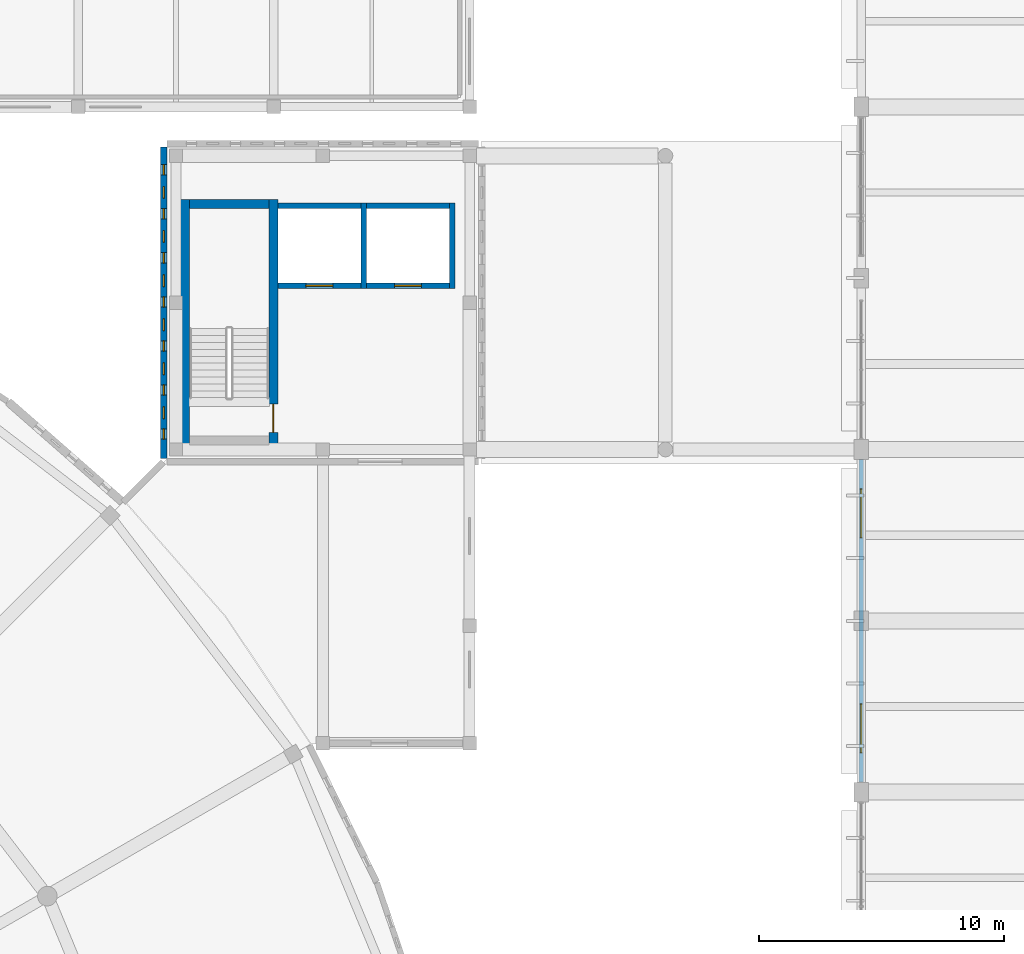
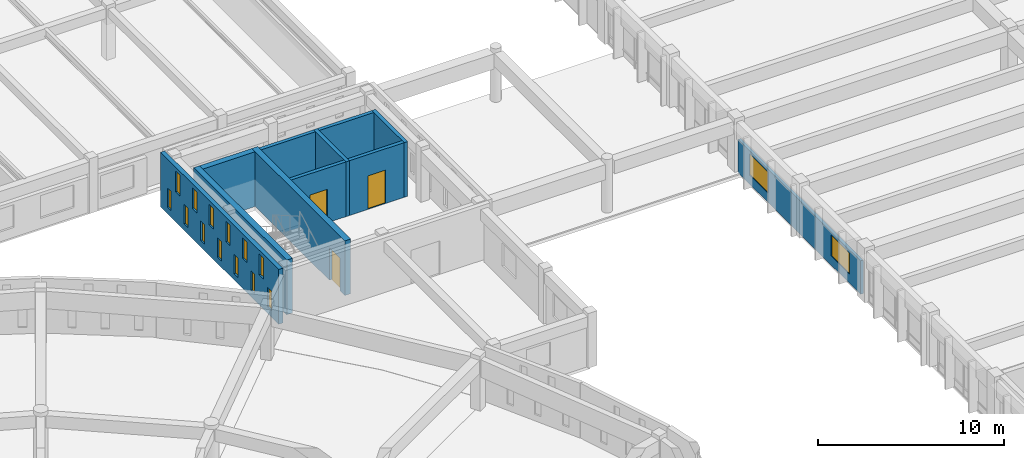
# One storey, part 120 of 155: 15 windows, 11 walls, 3 doors, 18 openings.
"""IFC4 building model written with IfcOpenShell, lengths in metres."""

from ifc_helpers import new_model, si_unit, direction, frame, frame_2d, origin, place, context, subcontext, project, spatial, rectangle, extrude, material, layer, layer_set, type_object, element, fill, save


model = new_model("IFC4")

# Units and contexts
model_context = context("Model", 3, precision=1e-05, world=origin(), true_north=direction((0.0, 1.0)))
body_context = subcontext(model_context, "Body", "Model", "MODEL_VIEW")
ifc_project = project(units=[si_unit("LENGTHUNIT", "METRE"), si_unit("AREAUNIT", "SQUARE_METRE"), si_unit("VOLUMEUNIT", "CUBIC_METRE"), si_unit("PLANEANGLEUNIT", "RADIAN"), si_unit("MASSUNIT", "GRAM", prefix="KILO")], contexts=[model_context])

# Site, building, storey
site_placement = place(None, origin())
site = spatial("IfcSite", under=ifc_project, at=site_placement, CompositionType="ELEMENT")
building_placement = place(site_placement, origin())
building = spatial("IfcBuilding", under=site, at=building_placement, Name="Larkveld Mobility Hub", CompositionType="ELEMENT")
storey_placement = place(building_placement, frame((0.0, 0.0, 8.39990234375)))
storey = spatial("IfcBuildingStorey", under=building, at=storey_placement, Name="L02", CompositionType="ELEMENT", Elevation=8.39990234375)

# Wall, openings, windows
ifc_material_1 = material(Name="Fired clay brick 25 MPa", Category="masonry")
ifc_layer_1 = layer(ifc_material_1, 0.260009765625, Name="Fired clay brick 25 MPa", Category="masonry")
ifc_layer_set_1 = layer_set([ifc_layer_1], Name="Fired clay brick 25 MPa")
wall_type_1 = type_object("IfcWallType", Name="WL-BRK-260", PredefinedType="USERDEFINED", material=ifc_layer_set_1)
wall_1_placement = place(storey_placement, frame((83.5, 96.360107421875, 0.0), z_axis=(0.0, 0.0, 1.0), x_axis=(0.0, -1.0, 0.0)))
wall_1 = element("IfcWall", 1, at=wall_1_placement, inside=storey, type_object=wall_type_1, Name="Square Brick Pavilion W Wall L02-0147", ObjectType="PERFORATED BRICK SCREEN", PredefinedType="USERDEFINED", context=body_context, shape_type="SweptSolid", body=[
    extrude(rectangle(XDim=12.72021484375, YDim=0.260009765625, at=frame_2d((6.360107421875, 0.0))), origin(), (0.0, 0.0, 1.0), 3.60009765625),
])
opening_1_placement = place(wall_1_placement, frame((0.719970703125, 0.0, 0.419921875)))
opening_1 = element("IfcOpeningElement", 2, at=opening_1_placement, cuts=wall_1, Name="Opening W01", PredefinedType="OPENING", context=body_context, shape_type="SweptSolid", body=[
    extrude(rectangle(XDim=0.419921875, YDim=1.280029296875, at=frame_2d((0.2099609375, 0.64013671875))), frame((0.0, 0.14013671875, 0.0), z_axis=(0.0, -1.0, 0.0), x_axis=(1.0, 0.0, 0.0)), (0.0, 0.0, 1.0), 0.280029296875),
])
opening_2_placement = place(wall_1_placement, frame((2.52001953125, 0.0, 0.419921875)))
opening_2 = element("IfcOpeningElement", 3, at=opening_2_placement, cuts=wall_1, Name="Opening W01", PredefinedType="OPENING", context=body_context, shape_type="SweptSolid", body=[
    extrude(rectangle(XDim=0.419921875, YDim=1.280029296875, at=frame_2d((0.2099609375, 0.64013671875))), frame((0.0, 0.14013671875, 0.0), z_axis=(0.0, -1.0, 0.0), x_axis=(1.0, 0.0, 0.0)), (0.0, 0.0, 1.0), 0.280029296875),
])
opening_3_placement = place(wall_1_placement, frame((4.320068359375, 0.0, 0.419921875)))
opening_3 = element("IfcOpeningElement", 4, at=opening_3_placement, cuts=wall_1, Name="Opening W01", PredefinedType="OPENING", context=body_context, shape_type="SweptSolid", body=[
    extrude(rectangle(XDim=0.419921875, YDim=1.280029296875, at=frame_2d((0.2099609375, 0.64013671875))), frame((0.0, 0.14013671875, 0.0), z_axis=(0.0, -1.0, 0.0), x_axis=(1.0, 0.0, 0.0)), (0.0, 0.0, 1.0), 0.280029296875),
])
opening_4_placement = place(wall_1_placement, frame((6.1201171875, 0.0, 0.419921875)))
opening_4 = element("IfcOpeningElement", 5, at=opening_4_placement, cuts=wall_1, Name="Opening W01", PredefinedType="OPENING", context=body_context, shape_type="SweptSolid", body=[
    extrude(rectangle(XDim=0.419921875, YDim=1.280029296875, at=frame_2d((0.2099609375, 0.64013671875))), frame((0.0, 0.14013671875, 0.0), z_axis=(0.0, -1.0, 0.0), x_axis=(1.0, 0.0, 0.0)), (0.0, 0.0, 1.0), 0.280029296875),
])
opening_5_placement = place(wall_1_placement, frame((7.919921875, 0.0, 0.419921875)))
opening_5 = element("IfcOpeningElement", 6, at=opening_5_placement, cuts=wall_1, Name="Opening W01", PredefinedType="OPENING", context=body_context, shape_type="SweptSolid", body=[
    extrude(rectangle(XDim=0.419921875, YDim=1.280029296875, at=frame_2d((0.2099609375, 0.64013671875))), frame((0.0, 0.14013671875, 0.0), z_axis=(0.0, -1.0, 0.0), x_axis=(1.0, 0.0, 0.0)), (0.0, 0.0, 1.0), 0.280029296875),
])
opening_6_placement = place(wall_1_placement, frame((9.719970703125, 0.0, 0.419921875)))
opening_6 = element("IfcOpeningElement", 7, at=opening_6_placement, cuts=wall_1, Name="Opening W01", PredefinedType="OPENING", context=body_context, shape_type="SweptSolid", body=[
    extrude(rectangle(XDim=0.419921875, YDim=1.280029296875, at=frame_2d((0.2099609375, 0.64013671875))), frame((0.0, 0.14013671875, 0.0), z_axis=(0.0, -1.0, 0.0), x_axis=(1.0, 0.0, 0.0)), (0.0, 0.0, 1.0), 0.280029296875),
])
opening_7_placement = place(wall_1_placement, frame((11.52001953125, 0.0, 0.419921875)))
opening_7 = element("IfcOpeningElement", 8, at=opening_7_placement, cuts=wall_1, Name="Opening W01", PredefinedType="OPENING", context=body_context, shape_type="SweptSolid", body=[
    extrude(rectangle(XDim=0.419921875, YDim=1.280029296875, at=frame_2d((0.2099609375, 0.64013671875))), frame((0.0, 0.14013671875, 0.0), z_axis=(0.0, -1.0, 0.0), x_axis=(1.0, 0.0, 0.0)), (0.0, 0.0, 1.0), 0.280029296875),
])
opening_8_placement = place(wall_1_placement, frame((1.6201171875, 0.0, 1.97998046875)))
opening_8 = element("IfcOpeningElement", 9, at=opening_8_placement, cuts=wall_1, Name="Opening W03", PredefinedType="OPENING", context=body_context, shape_type="SweptSolid", body=[
    extrude(rectangle(XDim=0.47998046875, YDim=1.360107421875, at=frame_2d((0.239990234375, 0.68017578125))), frame((0.0, 0.14013671875, 0.0), z_axis=(0.0, -1.0, 0.0), x_axis=(1.0, 0.0, 0.0)), (0.0, 0.0, 1.0), 0.280029296875),
])
opening_9_placement = place(wall_1_placement, frame((3.419921875, 0.0, 1.97998046875)))
opening_9 = element("IfcOpeningElement", 10, at=opening_9_placement, cuts=wall_1, Name="Opening W03", PredefinedType="OPENING", context=body_context, shape_type="SweptSolid", body=[
    extrude(rectangle(XDim=0.47998046875, YDim=1.360107421875, at=frame_2d((0.239990234375, 0.68017578125))), frame((0.0, 0.14013671875, 0.0), z_axis=(0.0, -1.0, 0.0), x_axis=(1.0, 0.0, 0.0)), (0.0, 0.0, 1.0), 0.280029296875),
])
opening_10_placement = place(wall_1_placement, frame((5.219970703125, 0.0, 1.97998046875)))
opening_10 = element("IfcOpeningElement", 11, at=opening_10_placement, cuts=wall_1, Name="Opening W03", PredefinedType="OPENING", context=body_context, shape_type="SweptSolid", body=[
    extrude(rectangle(XDim=0.47998046875, YDim=1.360107421875, at=frame_2d((0.239990234375, 0.68017578125))), frame((0.0, 0.14013671875, 0.0), z_axis=(0.0, -1.0, 0.0), x_axis=(1.0, 0.0, 0.0)), (0.0, 0.0, 1.0), 0.280029296875),
])
opening_11_placement = place(wall_1_placement, frame((7.02001953125, 0.0, 1.97998046875)))
opening_11 = element("IfcOpeningElement", 12, at=opening_11_placement, cuts=wall_1, Name="Opening W03", PredefinedType="OPENING", context=body_context, shape_type="SweptSolid", body=[
    extrude(rectangle(XDim=0.47998046875, YDim=1.360107421875, at=frame_2d((0.239990234375, 0.68017578125))), frame((0.0, 0.14013671875, 0.0), z_axis=(0.0, -1.0, 0.0), x_axis=(1.0, 0.0, 0.0)), (0.0, 0.0, 1.0), 0.280029296875),
])
opening_12_placement = place(wall_1_placement, frame((8.820068359375, 0.0, 1.97998046875)))
opening_12 = element("IfcOpeningElement", 13, at=opening_12_placement, cuts=wall_1, Name="Opening W03", PredefinedType="OPENING", context=body_context, shape_type="SweptSolid", body=[
    extrude(rectangle(XDim=0.47998046875, YDim=1.360107421875, at=frame_2d((0.239990234375, 0.68017578125))), frame((0.0, 0.14013671875, 0.0), z_axis=(0.0, -1.0, 0.0), x_axis=(1.0, 0.0, 0.0)), (0.0, 0.0, 1.0), 0.280029296875),
])
opening_13_placement = place(wall_1_placement, frame((10.6201171875, 0.0, 1.97998046875)))
opening_13 = element("IfcOpeningElement", 14, at=opening_13_placement, cuts=wall_1, Name="Opening W03", PredefinedType="OPENING", context=body_context, shape_type="SweptSolid", body=[
    extrude(rectangle(XDim=0.47998046875, YDim=1.360107421875, at=frame_2d((0.239990234375, 0.68017578125))), frame((0.0, 0.14013671875, 0.0), z_axis=(0.0, -1.0, 0.0), x_axis=(1.0, 0.0, 0.0)), (0.0, 0.0, 1.0), 0.280029296875),
])
ifc_material_2 = material(Name="Extruded aluminium ventilation grille", Category="aluminium")
window_type_1 = type_object("IfcWindowType", Name="WN-VENT-01", PartitioningType="SINGLE_PANEL", PredefinedType="WINDOW", material=ifc_material_2)
window_1_placement = place(opening_1_placement, origin())
window_1 = element("IfcWindow", 15, at=window_1_placement, inside=storey, type_object=window_type_1, Name="Window W01 (0756)", OverallHeight=1.280029296875, OverallWidth=0.419921875, PartitioningType="SINGLE_PANEL", PredefinedType="WINDOW", context=body_context, shape_type="SweptSolid", body=[
    extrude(rectangle(XDim=0.419921875, YDim=1.280029296875, at=frame_2d((0.2099609375, 0.64013671875))), frame((0.0, 0.030029296875, 0.0), z_axis=(0.0, -1.0, 0.0), x_axis=(1.0, 0.0, 0.0)), (0.0, 0.0, 1.0), 0.06005859375),
])
fill(opening_1, window_1)
window_2_placement = place(opening_2_placement, origin())
window_2 = element("IfcWindow", 16, at=window_2_placement, inside=storey, type_object=window_type_1, Name="Window W01 (0757)", OverallHeight=1.280029296875, OverallWidth=0.419921875, PartitioningType="SINGLE_PANEL", PredefinedType="WINDOW", context=body_context, shape_type="SweptSolid", body=[
    extrude(rectangle(XDim=0.419921875, YDim=1.280029296875, at=frame_2d((0.2099609375, 0.64013671875))), frame((0.0, 0.030029296875, 0.0), z_axis=(0.0, -1.0, 0.0), x_axis=(1.0, 0.0, 0.0)), (0.0, 0.0, 1.0), 0.06005859375),
])
fill(opening_2, window_2)
window_3_placement = place(opening_3_placement, origin())
window_3 = element("IfcWindow", 17, at=window_3_placement, inside=storey, type_object=window_type_1, Name="Window W01 (0758)", OverallHeight=1.280029296875, OverallWidth=0.419921875, PartitioningType="SINGLE_PANEL", PredefinedType="WINDOW", context=body_context, shape_type="SweptSolid", body=[
    extrude(rectangle(XDim=0.419921875, YDim=1.280029296875, at=frame_2d((0.2099609375, 0.64013671875))), frame((0.0, 0.030029296875, 0.0), z_axis=(0.0, -1.0, 0.0), x_axis=(1.0, 0.0, 0.0)), (0.0, 0.0, 1.0), 0.06005859375),
])
fill(opening_3, window_3)
window_4_placement = place(opening_4_placement, origin())
window_4 = element("IfcWindow", 18, at=window_4_placement, inside=storey, type_object=window_type_1, Name="Window W01 (0759)", OverallHeight=1.280029296875, OverallWidth=0.419921875, PartitioningType="SINGLE_PANEL", PredefinedType="WINDOW", context=body_context, shape_type="SweptSolid", body=[
    extrude(rectangle(XDim=0.419921875, YDim=1.280029296875, at=frame_2d((0.2099609375, 0.64013671875))), frame((0.0, 0.030029296875, 0.0), z_axis=(0.0, -1.0, 0.0), x_axis=(1.0, 0.0, 0.0)), (0.0, 0.0, 1.0), 0.06005859375),
])
fill(opening_4, window_4)
window_5_placement = place(opening_5_placement, origin())
window_5 = element("IfcWindow", 19, at=window_5_placement, inside=storey, type_object=window_type_1, Name="Window W01 (0760)", OverallHeight=1.280029296875, OverallWidth=0.419921875, PartitioningType="SINGLE_PANEL", PredefinedType="WINDOW", context=body_context, shape_type="SweptSolid", body=[
    extrude(rectangle(XDim=0.419921875, YDim=1.280029296875, at=frame_2d((0.2099609375, 0.64013671875))), frame((0.0, 0.030029296875, 0.0), z_axis=(0.0, -1.0, 0.0), x_axis=(1.0, 0.0, 0.0)), (0.0, 0.0, 1.0), 0.06005859375),
])
fill(opening_5, window_5)
window_6_placement = place(opening_6_placement, origin())
window_6 = element("IfcWindow", 20, at=window_6_placement, inside=storey, type_object=window_type_1, Name="Window W01 (0761)", OverallHeight=1.280029296875, OverallWidth=0.419921875, PartitioningType="SINGLE_PANEL", PredefinedType="WINDOW", context=body_context, shape_type="SweptSolid", body=[
    extrude(rectangle(XDim=0.419921875, YDim=1.280029296875, at=frame_2d((0.2099609375, 0.64013671875))), frame((0.0, 0.030029296875, 0.0), z_axis=(0.0, -1.0, 0.0), x_axis=(1.0, 0.0, 0.0)), (0.0, 0.0, 1.0), 0.06005859375),
])
fill(opening_6, window_6)
window_7_placement = place(opening_7_placement, origin())
window_7 = element("IfcWindow", 21, at=window_7_placement, inside=storey, type_object=window_type_1, Name="Window W01 (0762)", OverallHeight=1.280029296875, OverallWidth=0.419921875, PartitioningType="SINGLE_PANEL", PredefinedType="WINDOW", context=body_context, shape_type="SweptSolid", body=[
    extrude(rectangle(XDim=0.419921875, YDim=1.280029296875, at=frame_2d((0.2099609375, 0.64013671875))), frame((0.0, 0.030029296875, 0.0), z_axis=(0.0, -1.0, 0.0), x_axis=(1.0, 0.0, 0.0)), (0.0, 0.0, 1.0), 0.06005859375),
])
fill(opening_7, window_7)
window_type_2 = type_object("IfcWindowType", Name="WN-VENT-03", PartitioningType="SINGLE_PANEL", PredefinedType="WINDOW", material=ifc_material_2)
window_8_placement = place(opening_8_placement, origin())
window_8 = element("IfcWindow", 22, at=window_8_placement, inside=storey, type_object=window_type_2, Name="Window W03 (0763)", OverallHeight=1.360107421875, OverallWidth=0.47998046875, PartitioningType="SINGLE_PANEL", PredefinedType="WINDOW", context=body_context, shape_type="SweptSolid", body=[
    extrude(rectangle(XDim=0.47998046875, YDim=1.360107421875, at=frame_2d((0.239990234375, 0.68017578125))), frame((0.0, 0.030029296875, 0.0), z_axis=(0.0, -1.0, 0.0), x_axis=(1.0, 0.0, 0.0)), (0.0, 0.0, 1.0), 0.06005859375),
])
fill(opening_8, window_8)
window_9_placement = place(opening_9_placement, origin())
window_9 = element("IfcWindow", 23, at=window_9_placement, inside=storey, type_object=window_type_2, Name="Window W03 (0764)", OverallHeight=1.360107421875, OverallWidth=0.47998046875, PartitioningType="SINGLE_PANEL", PredefinedType="WINDOW", context=body_context, shape_type="SweptSolid", body=[
    extrude(rectangle(XDim=0.47998046875, YDim=1.360107421875, at=frame_2d((0.239990234375, 0.68017578125))), frame((0.0, 0.030029296875, 0.0), z_axis=(0.0, -1.0, 0.0), x_axis=(1.0, 0.0, 0.0)), (0.0, 0.0, 1.0), 0.06005859375),
])
fill(opening_9, window_9)
window_10_placement = place(opening_10_placement, origin())
window_10 = element("IfcWindow", 24, at=window_10_placement, inside=storey, type_object=window_type_2, Name="Window W03 (0765)", OverallHeight=1.360107421875, OverallWidth=0.47998046875, PartitioningType="SINGLE_PANEL", PredefinedType="WINDOW", context=body_context, shape_type="SweptSolid", body=[
    extrude(rectangle(XDim=0.47998046875, YDim=1.360107421875, at=frame_2d((0.239990234375, 0.68017578125))), frame((0.0, 0.030029296875, 0.0), z_axis=(0.0, -1.0, 0.0), x_axis=(1.0, 0.0, 0.0)), (0.0, 0.0, 1.0), 0.06005859375),
])
fill(opening_10, window_10)
window_11_placement = place(opening_11_placement, origin())
window_11 = element("IfcWindow", 25, at=window_11_placement, inside=storey, type_object=window_type_2, Name="Window W03 (0766)", OverallHeight=1.360107421875, OverallWidth=0.47998046875, PartitioningType="SINGLE_PANEL", PredefinedType="WINDOW", context=body_context, shape_type="SweptSolid", body=[
    extrude(rectangle(XDim=0.47998046875, YDim=1.360107421875, at=frame_2d((0.239990234375, 0.68017578125))), frame((0.0, 0.030029296875, 0.0), z_axis=(0.0, -1.0, 0.0), x_axis=(1.0, 0.0, 0.0)), (0.0, 0.0, 1.0), 0.06005859375),
])
fill(opening_11, window_11)
window_12_placement = place(opening_12_placement, origin())
window_12 = element("IfcWindow", 26, at=window_12_placement, inside=storey, type_object=window_type_2, Name="Window W03 (0767)", OverallHeight=1.360107421875, OverallWidth=0.47998046875, PartitioningType="SINGLE_PANEL", PredefinedType="WINDOW", context=body_context, shape_type="SweptSolid", body=[
    extrude(rectangle(XDim=0.47998046875, YDim=1.360107421875, at=frame_2d((0.239990234375, 0.68017578125))), frame((0.0, 0.030029296875, 0.0), z_axis=(0.0, -1.0, 0.0), x_axis=(1.0, 0.0, 0.0)), (0.0, 0.0, 1.0), 0.06005859375),
])
fill(opening_12, window_12)
window_13_placement = place(opening_13_placement, origin())
window_13 = element("IfcWindow", 27, at=window_13_placement, inside=storey, type_object=window_type_2, Name="Window W03 (0768)", OverallHeight=1.360107421875, OverallWidth=0.47998046875, PartitioningType="SINGLE_PANEL", PredefinedType="WINDOW", context=body_context, shape_type="SweptSolid", body=[
    extrude(rectangle(XDim=0.47998046875, YDim=1.360107421875, at=frame_2d((0.239990234375, 0.68017578125))), frame((0.0, 0.030029296875, 0.0), z_axis=(0.0, -1.0, 0.0), x_axis=(1.0, 0.0, 0.0)), (0.0, 0.0, 1.0), 0.06005859375),
])
fill(opening_13, window_13)

ifc_material_3 = material(Name="Glazed architectural ceramic masonry 20 MPa", Category="masonry")
ifc_layer_2 = layer(ifc_material_3, 0.179931640625, Name="Glazed architectural ceramic masonry 20 MPa", Category="masonry")
ifc_layer_set_2 = layer_set([ifc_layer_2], Name="Glazed architectural ceramic masonry 20 MPa")
wall_type_2 = type_object("IfcWallType", Name="WL-COB-180", PredefinedType="USERDEFINED", material=ifc_layer_set_2)
wall_2_placement = place(storey_placement, frame((112.0, 83.590087890625, 0.0), z_axis=(0.0, 0.0, 1.0), x_axis=(0.0, -1.0, 0.0)))
wall_2 = element("IfcWall", 28, at=wall_2_placement, inside=storey, type_object=wall_type_2, Name="EV Wing West Ventilated Facade L02-0231", ObjectType="CERAMIC COBOGO SCREEN", PredefinedType="USERDEFINED", context=body_context, shape_type="SweptSolid", body=[
    extrude(rectangle(XDim=13.18017578125, YDim=0.179931640625, at=frame_2d((6.590087890625, 0.0))), origin(), (0.0, 0.0, 1.0), 2.195068359375),
])
opening_14_placement = place(wall_2_placement, frame((1.197021484375, 0.0, 0.594970703125)))
opening_14 = element("IfcOpeningElement", 29, at=opening_14_placement, cuts=wall_2, Name="Opening W25", PredefinedType="OPENING", context=body_context, shape_type="SweptSolid", body=[
    extrude(rectangle(XDim=2.0, YDim=1.39990234375, at=frame_2d((1.0, 0.699951171875))), frame((0.0, 0.10009765625, 0.0), z_axis=(0.0, -1.0, 0.0), x_axis=(1.0, 0.0, 0.0)), (0.0, 0.0, 1.0), 0.199951171875),
])
opening_15_placement = place(wall_2_placement, frame((9.98291015625, 0.0, 0.594970703125)))
opening_15 = element("IfcOpeningElement", 30, at=opening_15_placement, cuts=wall_2, Name="Opening W25", PredefinedType="OPENING", context=body_context, shape_type="SweptSolid", body=[
    extrude(rectangle(XDim=2.0, YDim=1.39990234375, at=frame_2d((1.0, 0.699951171875))), frame((0.0, 0.10009765625, 0.0), z_axis=(0.0, -1.0, 0.0), x_axis=(1.0, 0.0, 0.0)), (0.0, 0.0, 1.0), 0.199951171875),
])
ifc_material_4 = material(Name="Low-E double glazing in aluminium frame", Category="aluminium")
window_type_3 = type_object("IfcWindowType", Name="WN-ALU-25", PartitioningType="SINGLE_PANEL", PredefinedType="WINDOW", material=ifc_material_4)
window_14_placement = place(opening_14_placement, origin())
window_14 = element("IfcWindow", 31, at=window_14_placement, inside=storey, type_object=window_type_3, Name="Window W25 (1050)", OverallHeight=1.39990234375, OverallWidth=2.0, PartitioningType="SINGLE_PANEL", PredefinedType="WINDOW", context=body_context, shape_type="SweptSolid", body=[
    extrude(rectangle(XDim=2.0, YDim=1.39990234375, at=frame_2d((1.0, 0.699951171875))), frame((0.0, 0.030029296875, 0.0), z_axis=(0.0, -1.0, 0.0), x_axis=(1.0, 0.0, 0.0)), (0.0, 0.0, 1.0), 0.06005859375),
])
fill(opening_14, window_14)
window_15_placement = place(opening_15_placement, origin())
window_15 = element("IfcWindow", 32, at=window_15_placement, inside=storey, type_object=window_type_3, Name="Window W25 (1051)", OverallHeight=1.39990234375, OverallWidth=2.0, PartitioningType="SINGLE_PANEL", PredefinedType="WINDOW", context=body_context, shape_type="SweptSolid", body=[
    extrude(rectangle(XDim=2.0, YDim=1.39990234375, at=frame_2d((1.0, 0.699951171875))), frame((0.0, 0.030029296875, 0.0), z_axis=(0.0, -1.0, 0.0), x_axis=(1.0, 0.0, 0.0)), (0.0, 0.0, 1.0), 0.06005859375),
])
fill(opening_15, window_15)

# Wall
ifc_material_5 = material(Name="Concrete C40/50", Category="concrete")
ifc_layer_3 = layer(ifc_material_5, 0.219970703125, Name="Concrete C40/50", Category="concrete")
ifc_layer_set_3 = layer_set([ifc_layer_3], Name="Concrete C40/50")
wall_type_3 = type_object("IfcWallType", Name="WL-SHF-220", PredefinedType="SHEAR", material=ifc_layer_set_3)
wall_3_placement = place(storey_placement, frame((91.669921875, 94.070068359375, 0.0), z_axis=(0.0, 0.0, 1.0), x_axis=(0.0, -1.0, 0.0)))
element("IfcWall", 33, at=wall_3_placement, inside=storey, type_object=wall_type_3, Name="Lift PL3 Shaft Wall L02-E", PredefinedType="SHEAR", context=body_context, shape_type="SweptSolid", body=[
    extrude(rectangle(XDim=3.489990234375, YDim=0.219970703125, at=frame_2d((1.7451171875, 0.0))), origin(), (0.0, 0.0, 1.0), 3.60009765625),
])

# Wall, opening, door
wall_4_placement = place(storey_placement, frame((91.56005859375, 90.68994140625, 0.0), z_axis=(0.0, 0.0, 1.0), x_axis=(-1.0, 0.0, 0.0)))
wall_4 = element("IfcWall", 34, at=wall_4_placement, inside=storey, type_object=wall_type_3, Name="Lift PL3 Shaft Wall L02-S", PredefinedType="SHEAR", context=body_context, shape_type="SweptSolid", body=[
    extrude(rectangle(XDim=3.400146484375, YDim=0.219970703125, at=frame_2d((1.7001953125, 0.0))), origin(), (0.0, 0.0, 1.0), 3.60009765625),
])
opening_16_placement = place(wall_4_placement, frame((1.14990234375, 0.0, 0.0)))
opening_16 = element("IfcOpeningElement", 35, at=opening_16_placement, cuts=wall_4, Name="Opening LD01", PredefinedType="OPENING", context=body_context, shape_type="SweptSolid", body=[
    extrude(rectangle(XDim=1.10009765625, YDim=2.199951171875, at=frame_2d((0.550048828125, 1.10009765625))), frame((0.0, 0.1201171875, 0.0), z_axis=(0.0, -1.0, 0.0), x_axis=(1.0, 0.0, 0.0)), (0.0, 0.0, 1.0), 0.239990234375),
])
ifc_material_6 = material(Name="Brushed stainless Steel S355JR sliding landing door", Category="steel")
door_type_1 = type_object("IfcDoorType", Name="DR-LD-110", OperationType="DOUBLE_DOOR_SLIDING", PredefinedType="DOOR", material=ifc_material_6)
door_1_placement = place(opening_16_placement, origin())
door_1 = element("IfcDoor", 36, at=door_1_placement, inside=storey, type_object=door_type_1, Name="Lift landing door PL3-L02", OperationType="DOUBLE_DOOR_SLIDING", OverallHeight=2.199951171875, OverallWidth=1.10009765625, PredefinedType="DOOR", context=body_context, shape_type="SweptSolid", body=[
    extrude(rectangle(XDim=1.10009765625, YDim=2.199951171875, at=frame_2d((0.550048828125, 1.10009765625))), frame((0.0, 0.02490234375, 0.0), z_axis=(0.0, -1.0, 0.0), x_axis=(1.0, 0.0, 0.0)), (0.0, 0.0, 1.0), 0.050048828125),
])
fill(opening_16, door_1)

# Walls
wall_5_placement = place(storey_placement, frame((88.159912109375, 93.9599609375, 0.0), z_axis=(0.0, 0.0, 1.0), x_axis=(1.0, 0.0, 0.0)))
element("IfcWall", 37, at=wall_5_placement, inside=storey, type_object=wall_type_3, Name="Lift PL3 Shaft Wall L02-N", PredefinedType="SHEAR", context=body_context, shape_type="SweptSolid", body=[
    extrude(rectangle(XDim=3.400146484375, YDim=0.219970703125, at=frame_2d((1.7001953125, 0.0))), origin(), (0.0, 0.0, 1.0), 3.60009765625),
])
wall_6_placement = place(storey_placement, frame((95.2900390625, 94.070068359375, 0.0), z_axis=(0.0, 0.0, 1.0), x_axis=(0.0, -1.0, 0.0)))
element("IfcWall", 38, at=wall_6_placement, inside=storey, type_object=wall_type_3, Name="Lift PL4 Shaft Wall L02-E", PredefinedType="SHEAR", context=body_context, shape_type="SweptSolid", body=[
    extrude(rectangle(XDim=3.489990234375, YDim=0.219970703125, at=frame_2d((1.7451171875, 0.0))), origin(), (0.0, 0.0, 1.0), 3.60009765625),
])

# Wall, opening, door
wall_7_placement = place(storey_placement, frame((95.179931640625, 90.68994140625, 0.0), z_axis=(0.0, 0.0, 1.0), x_axis=(-1.0, 0.0, 0.0)))
wall_7 = element("IfcWall", 39, at=wall_7_placement, inside=storey, type_object=wall_type_3, Name="Lift PL4 Shaft Wall L02-S", PredefinedType="SHEAR", context=body_context, shape_type="SweptSolid", body=[
    extrude(rectangle(XDim=3.39990234375, YDim=0.219970703125, at=frame_2d((1.699951171875, 0.0))), origin(), (0.0, 0.0, 1.0), 3.60009765625),
])
opening_17_placement = place(wall_7_placement, frame((1.14990234375, 0.0, 0.0)))
opening_17 = element("IfcOpeningElement", 40, at=opening_17_placement, cuts=wall_7, Name="Opening LD01", PredefinedType="OPENING", context=body_context, shape_type="SweptSolid", body=[
    extrude(rectangle(XDim=1.10009765625, YDim=2.199951171875, at=frame_2d((0.550048828125, 1.10009765625))), frame((0.0, 0.1201171875, 0.0), z_axis=(0.0, -1.0, 0.0), x_axis=(1.0, 0.0, 0.0)), (0.0, 0.0, 1.0), 0.239990234375),
])
door_2_placement = place(opening_17_placement, origin())
door_2 = element("IfcDoor", 41, at=door_2_placement, inside=storey, type_object=door_type_1, Name="Lift landing door PL4-L02", OperationType="DOUBLE_DOOR_SLIDING", OverallHeight=2.199951171875, OverallWidth=1.10009765625, PredefinedType="DOOR", context=body_context, shape_type="SweptSolid", body=[
    extrude(rectangle(XDim=1.10009765625, YDim=2.199951171875, at=frame_2d((0.550048828125, 1.10009765625))), frame((0.0, 0.02490234375, 0.0), z_axis=(0.0, -1.0, 0.0), x_axis=(1.0, 0.0, 0.0)), (0.0, 0.0, 1.0), 0.050048828125),
])
fill(opening_17, door_2)

# Walls
wall_8_placement = place(storey_placement, frame((91.780029296875, 93.9599609375, 0.0), z_axis=(0.0, 0.0, 1.0), x_axis=(1.0, 0.0, 0.0)))
element("IfcWall", 42, at=wall_8_placement, inside=storey, type_object=wall_type_3, Name="Lift PL4 Shaft Wall L02-N", PredefinedType="SHEAR", context=body_context, shape_type="SweptSolid", body=[
    extrude(rectangle(XDim=3.39990234375, YDim=0.219970703125, at=frame_2d((1.699951171875, 0.0))), origin(), (0.0, 0.0, 1.0), 3.60009765625),
])
ifc_layer_4 = layer(ifc_material_5, 0.360107421875, Name="Concrete C40/50", Category="concrete")
ifc_layer_set_4 = layer_set([ifc_layer_4], Name="Concrete C40/50")
wall_type_4 = type_object("IfcWallType", Name="WL-SHR-05", PredefinedType="SHEAR", material=ifc_layer_set_4)
wall_9_placement = place(storey_placement, frame((84.3701171875, 84.18994140625, 0.0), z_axis=(0.0, 0.0, 1.0), x_axis=(0.0, 1.0, 0.0)))
element("IfcWall", 43, at=wall_9_placement, inside=storey, type_object=wall_type_4, Name="Core C5 Stair Shear Wall L02-W", PredefinedType="SHEAR", context=body_context, shape_type="SweptSolid", body=[
    extrude(rectangle(XDim=10.02001953125, YDim=0.360107421875, at=frame_2d((5.010009765625, 0.0))), origin(), (0.0, 0.0, 1.0), 3.60009765625),
])

# Wall, opening, door
wall_10_placement = place(storey_placement, frame((87.97998046875, 94.2099609375, 0.0), z_axis=(0.0, 0.0, 1.0), x_axis=(0.0, -1.0, 0.0)))
wall_10 = element("IfcWall", 44, at=wall_10_placement, inside=storey, type_object=wall_type_4, Name="Core C5 Stair Shear Wall L02-E", PredefinedType="SHEAR", context=body_context, shape_type="SweptSolid", body=[
    extrude(rectangle(XDim=10.02001953125, YDim=0.360107421875, at=frame_2d((5.010009765625, 0.0))), origin(), (0.0, 0.0, 1.0), 3.60009765625),
])
opening_18_placement = place(wall_10_placement, frame((8.360107421875, 0.0, 0.0)))
opening_18 = element("IfcOpeningElement", 45, at=opening_18_placement, cuts=wall_10, Name="Opening DF01", PredefinedType="OPENING", context=body_context, shape_type="SweptSolid", body=[
    extrude(rectangle(XDim=1.14990234375, YDim=2.14990234375, at=frame_2d((0.574951171875, 1.074951171875))), frame((0.0, 0.18994140625, 0.0), z_axis=(0.0, -1.0, 0.0), x_axis=(1.0, 0.0, 0.0)), (0.0, 0.0, 1.0), 0.380126953125),
])
ifc_material_7 = material(Name="Pressed Steel S355JR fire door assembly", Category="steel")
door_type_2 = type_object("IfcDoorType", Name="DR-FD120", OperationType="NOTDEFINED", PredefinedType="DOOR", material=ifc_material_7)
door_3_placement = place(opening_18_placement, origin())
door_3 = element("IfcDoor", 46, at=door_3_placement, inside=storey, type_object=door_type_2, Name="Stair ST5 Fire Door L02", OperationType="SINGLE_SWING_RIGHT", OverallHeight=2.14990234375, OverallWidth=1.14990234375, PredefinedType="DOOR", context=body_context, shape_type="SweptSolid", body=[
    extrude(rectangle(XDim=1.14990234375, YDim=2.14990234375, at=frame_2d((0.574951171875, 1.074951171875))), frame((0.0, 0.02490234375, 0.0), z_axis=(0.0, -1.0, 0.0), x_axis=(1.0, 0.0, 0.0)), (0.0, 0.0, 1.0), 0.050048828125),
])
fill(opening_18, door_3)

# Wall
wall_11_placement = place(storey_placement, frame((84.550048828125, 94.030029296875, 0.0), z_axis=(0.0, 0.0, 1.0), x_axis=(1.0, 0.0, 0.0)))
element("IfcWall", 47, at=wall_11_placement, inside=storey, type_object=wall_type_4, Name="Core C5 Stair Shear Wall L02-N", PredefinedType="SHEAR", context=body_context, shape_type="SweptSolid", body=[
    extrude(rectangle(XDim=3.25, YDim=0.360107421875, at=frame_2d((1.625, 0.0))), origin(), (0.0, 0.0, 1.0), 3.60009765625),
])

save(model, "model.ifc")
